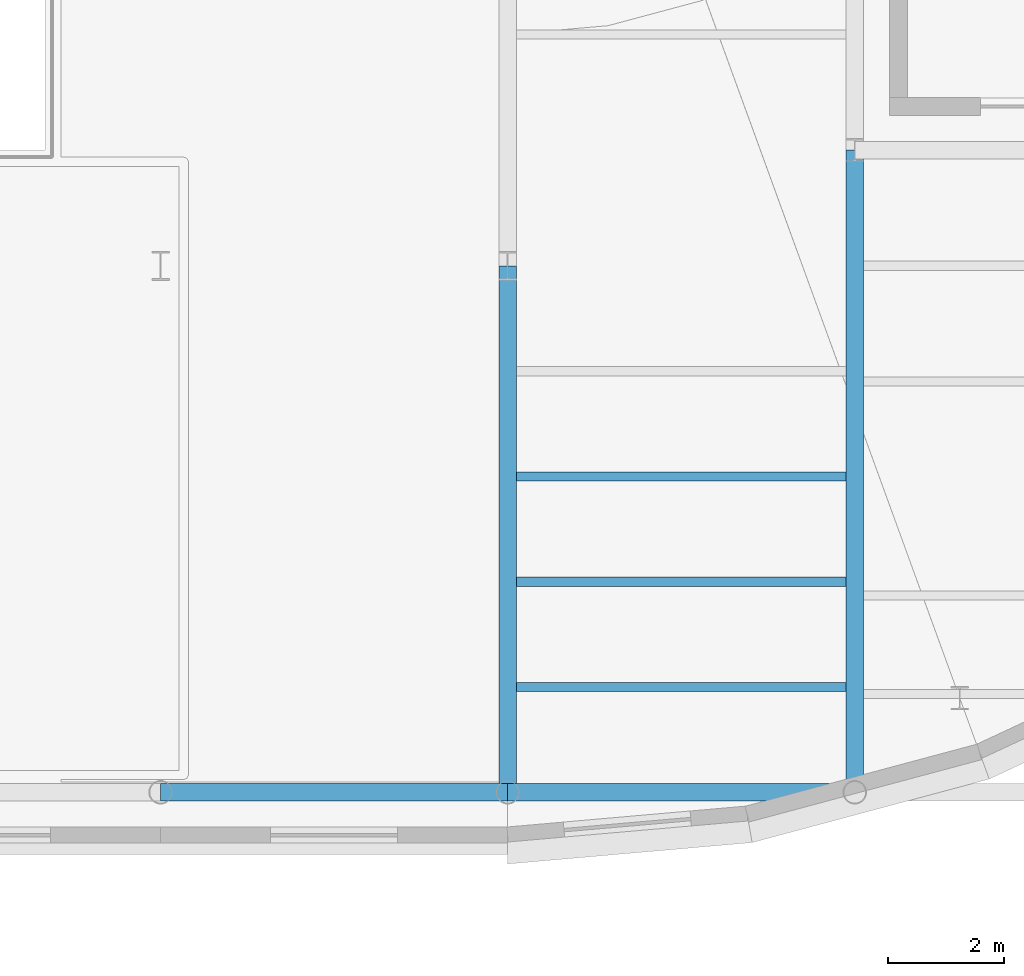
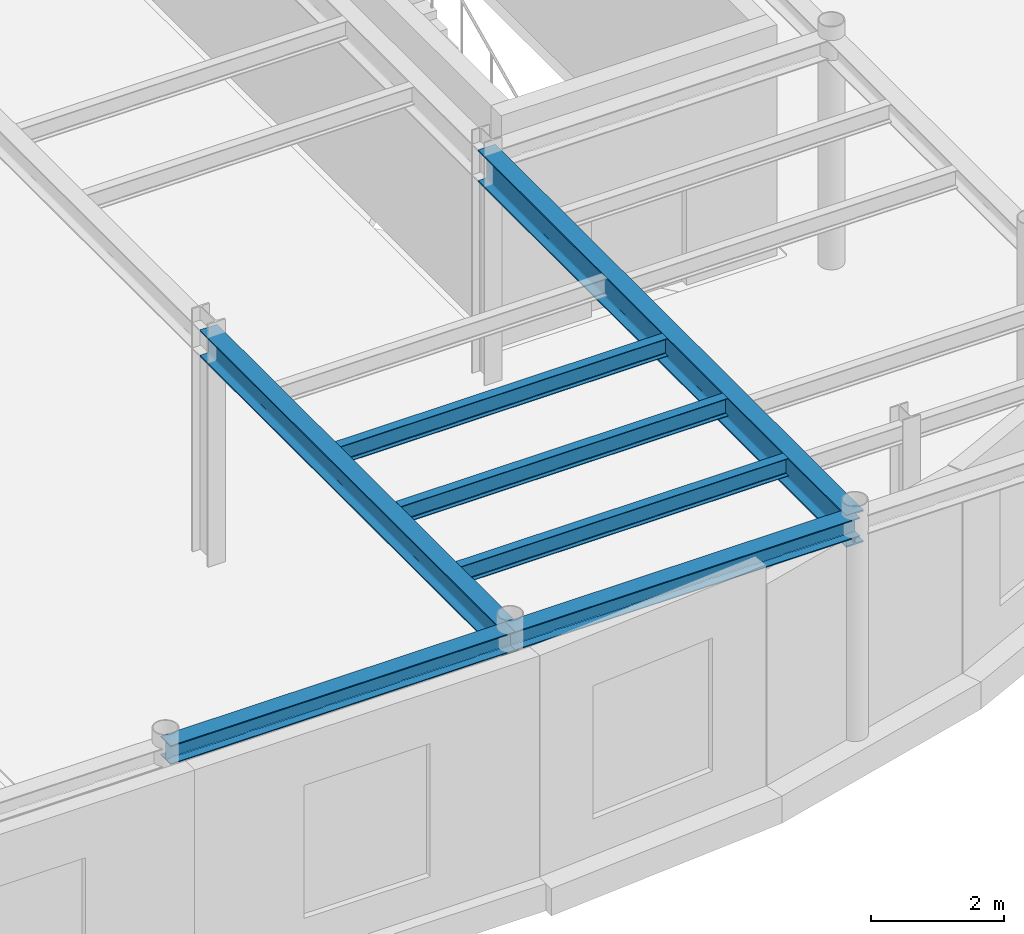
# One storey, part 24 of 91: 7 beams.
"""IFC4 building model written with IfcOpenShell, lengths in metres."""

from ifc_helpers import new_model, si_unit, direction, frame, origin, origin_2d, place, context, subcontext, project, spatial, i_section, extrude, material, material_profile, profile_set, type_object, element, save


model = new_model("IFC4")

# Units and contexts
model_context = context("Model", 3, precision=1e-05, world=origin(), true_north=direction((0.0, 1.0)))
body_context = subcontext(model_context, "Body", "Model", "MODEL_VIEW")
ifc_project = project(units=[si_unit("LENGTHUNIT", "METRE"), si_unit("AREAUNIT", "SQUARE_METRE"), si_unit("VOLUMEUNIT", "CUBIC_METRE"), si_unit("PLANEANGLEUNIT", "RADIAN"), si_unit("MASSUNIT", "GRAM", prefix="KILO")], contexts=[model_context])

# Site, building, storey
site_placement = place(None, origin())
site = spatial("IfcSite", under=ifc_project, at=site_placement, CompositionType="ELEMENT")
building_placement = place(site_placement, origin())
building = spatial("IfcBuilding", under=site, at=building_placement, Name="Kolvaren Corner Interchange", CompositionType="ELEMENT")
storey_placement = place(building_placement, frame((0.0, 0.0, 6.0)))
storey = spatial("IfcBuildingStorey", under=building, at=storey_placement, Name="L02", CompositionType="ELEMENT", Elevation=6.0)

# Beams
ifc_material_1 = material(Name="Steel S355", Category="steel")
ifc_material_profile_1 = material_profile(ifc_material_1, i_section(OverallWidth=0.300048828125, OverallDepth=0.35009765625, WebThickness=0.010009765625, FlangeThickness=0.017578125, FilletRadius=0.027099609375, at=origin_2d()), Name="HEA 360")
ifc_profile_set_1 = profile_set([ifc_material_profile_1], Name="Steel S355")
beam_type_1 = type_object("IfcBeamType", Name="BM-HEA360", PredefinedType="BEAM", material=ifc_profile_set_1)
for number, where, z_axis, x_axis, name in (
    (1, (114.0, 24.89990234375, 4.074951171875), (1.0, 0.0, 0.0), (0.0, 1.0, 0.0), "Storey L02 Grid X Primary Girder 0550"),
    (2, (120.0, 24.89990234375, 4.074951171875), (1.0, 0.0, 0.0), (0.0, 1.0, 0.0), "Storey L02 Grid X Primary Girder 0551"),
):
    element("IfcBeam", number, at=place(storey_placement, frame(where, z_axis=z_axis, x_axis=x_axis)), inside=storey, type_object=beam_type_1, Name=name, PredefinedType="BEAM", context=body_context, shape_type="SweptSolid", body=[
        extrude(i_section(OverallWidth=0.300048828125, OverallDepth=0.35009765625, WebThickness=0.010009765625, FlangeThickness=0.017578125, FilletRadius=0.027099609375, at=origin_2d()), origin(), (0.0, 0.0, 1.0), 6.0),
    ])
ifc_material_2 = material(Name="Steel S355", Category="steel")
ifc_material_profile_2 = material_profile(ifc_material_2, i_section(OverallWidth=0.300048828125, OverallDepth=0.489990234375, WebThickness=0.011962890625, FlangeThickness=0.02294921875, FilletRadius=0.027099609375, at=origin_2d()), Name="HEA 500")
ifc_profile_set_2 = profile_set([ifc_material_profile_2], Name="Steel S355")
beam_type_2 = type_object("IfcBeamType", Name="BM-HEA500", PredefinedType="BEAM", material=ifc_profile_set_2)
beam_1_placement = place(storey_placement, frame((120.0, 24.89990234375, 4.0048828125), z_axis=(0.0, 1.0, 0.0), x_axis=(-1.0, 0.0, 0.0)))
element("IfcBeam", 3, at=beam_1_placement, inside=storey, type_object=beam_type_2, Name="Storey L02 Grid Y Primary Girder 0655", PredefinedType="BEAM", context=body_context, shape_type="SweptSolid", body=[
    extrude(i_section(OverallWidth=0.300048828125, OverallDepth=0.489990234375, WebThickness=0.011962890625, FlangeThickness=0.02294921875, FilletRadius=0.027099609375, at=origin_2d()), origin(), (0.0, 0.0, 1.0), 9.10009765625),
])
ifc_material_3 = material(Name="Steel S355", Category="steel")
ifc_material_profile_3 = material_profile(ifc_material_3, i_section(OverallWidth=0.300048828125, OverallDepth=0.590087890625, WebThickness=0.012939453125, FlangeThickness=0.02490234375, FilletRadius=0.027099609375, at=origin_2d()), Name="HEA 600")
ifc_profile_set_3 = profile_set([ifc_material_profile_3], Name="Steel S355")
beam_type_3 = type_object("IfcBeamType", Name="BM-HEA600", PredefinedType="BEAM", material=ifc_profile_set_3)
beam_2_placement = place(storey_placement, frame((126.0, 24.89990234375, 3.955078125), z_axis=(0.0, 1.0, 0.0), x_axis=(-1.0, 0.0, 0.0)))
element("IfcBeam", 4, at=beam_2_placement, inside=storey, type_object=beam_type_3, Name="Storey L02 Grid Y Primary Girder 0657", PredefinedType="BEAM", context=body_context, shape_type="SweptSolid", body=[
    extrude(i_section(OverallWidth=0.300048828125, OverallDepth=0.590087890625, WebThickness=0.012939453125, FlangeThickness=0.02490234375, FilletRadius=0.027099609375, at=origin_2d()), origin(), (0.0, 0.0, 1.0), 11.10009765625),
])
ifc_material_4 = material(Name="Steel S355", Category="steel")
ifc_material_profile_4 = material_profile(ifc_material_4, i_section(OverallWidth=0.159912109375, OverallDepth=0.330078125, WebThickness=0.007568359375, FlangeThickness=0.011474609375, FilletRadius=0.01806640625, at=origin_2d()), Name="IPE 330")
ifc_profile_set_4 = profile_set([ifc_material_profile_4], Name="Steel S355")
beam_type_4 = type_object("IfcBeamType", Name="JS-IPE330", PredefinedType="JOIST", material=ifc_profile_set_4)
for number, where, z_axis, x_axis, name in (
    (5, (120.14990234375, 26.719970703125, 4.0849609375), (1.0, 0.0, 0.0), (0.0, 1.0, 0.0), "Storey L02 Composite Floor Joist 0619"),
    (6, (120.14990234375, 28.5400390625, 4.0849609375), (1.0, 0.0, 0.0), (0.0, 1.0, 0.0), "Storey L02 Composite Floor Joist 0620"),
    (7, (120.14990234375, 30.360107421875, 4.0849609375), (1.0, 0.0, 0.0), (0.0, 1.0, 0.0), "Storey L02 Composite Floor Joist 0621"),
):
    element("IfcBeam", number, at=place(storey_placement, frame(where, z_axis=z_axis, x_axis=x_axis)), inside=storey, type_object=beam_type_4, Name=name, PredefinedType="JOIST", context=body_context, shape_type="SweptSolid", body=[
        extrude(i_section(OverallWidth=0.159912109375, OverallDepth=0.330078125, WebThickness=0.007568359375, FlangeThickness=0.011474609375, FilletRadius=0.01806640625, at=origin_2d()), origin(), (0.0, 0.0, 1.0), 5.7001953125),
    ])

save(model, "model.ifc")
